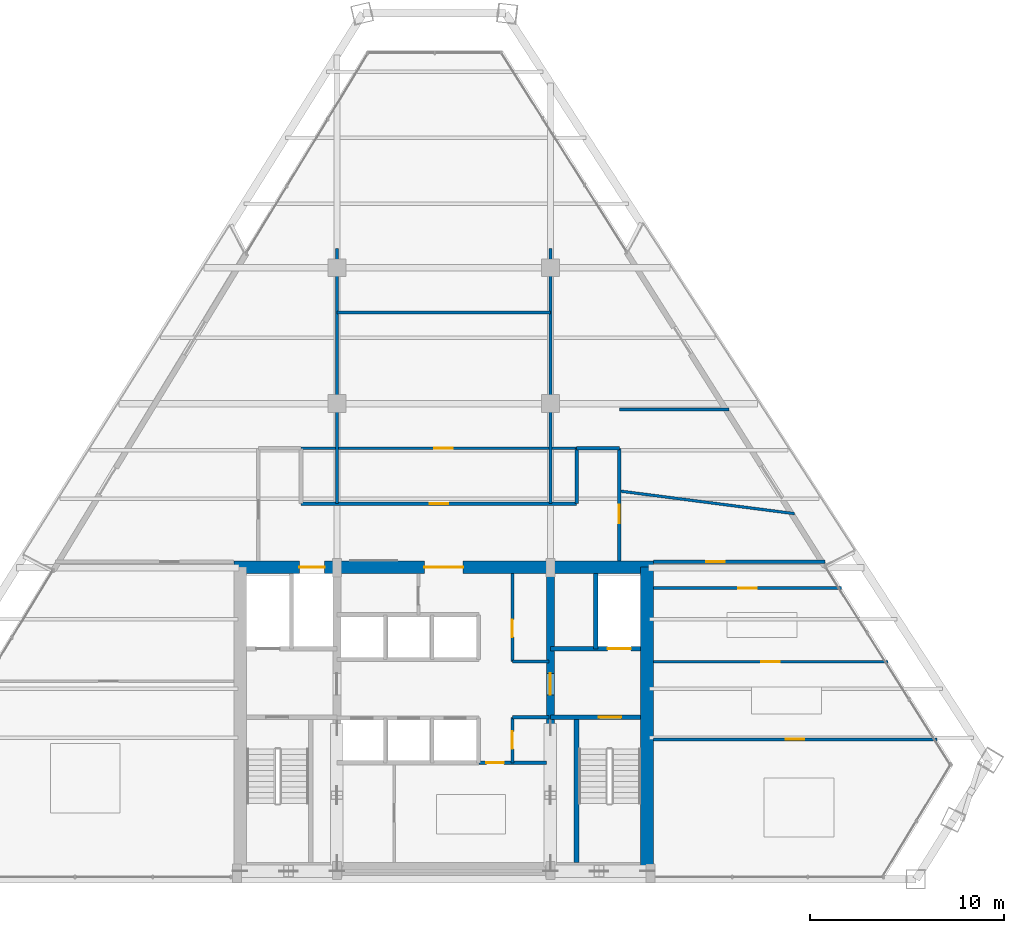
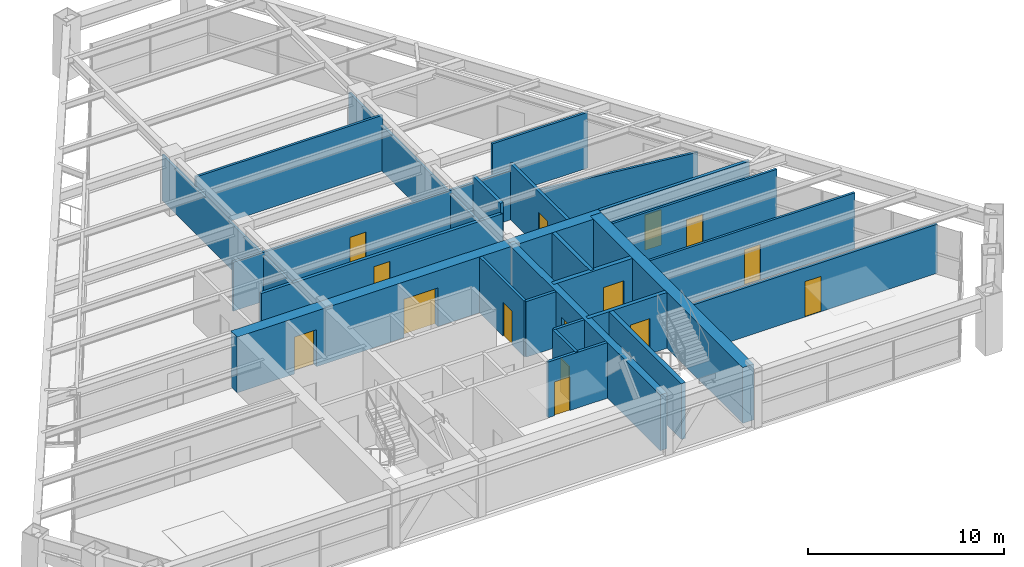
# One storey, part 10 of 13: 26 walls, 15 doors, 15 openings.
"""IFC4 building model written with IfcOpenShell, lengths in metres."""

from ifc_helpers import new_model, si_unit, direction, frame, frame_2d, origin, place, context, subcontext, project, spatial, rectangle, extrude, source, transform, mapped, material, layer, layer_set, type_object, type_shapes, element, fill, save


model = new_model("IFC4")

# Units and contexts
model_context = context("Model", 3, precision=1e-05, world=origin(), true_north=direction((0.0, 1.0)))
body_context = subcontext(model_context, "Body", "Model", "MODEL_VIEW")
ifc_project = project(units=[si_unit("LENGTHUNIT", "METRE"), si_unit("AREAUNIT", "SQUARE_METRE"), si_unit("VOLUMEUNIT", "CUBIC_METRE"), si_unit("PLANEANGLEUNIT", "RADIAN"), si_unit("MASSUNIT", "GRAM", prefix="KILO")], contexts=[model_context])

# Site, building, storey
site_placement = place(None, origin())
site = spatial("IfcSite", under=ifc_project, at=site_placement, CompositionType="ELEMENT")
building_placement = place(site_placement, origin())
building = spatial("IfcBuilding", under=site, at=building_placement, Name="Varnakhor Terracotta Tower", CompositionType="ELEMENT")
storey_placement = place(building_placement, frame((0.0, 0.0, 204.300048828125)))
storey = spatial("IfcBuildingStorey", under=building, at=storey_placement, Name="L52", CompositionType="ELEMENT", Elevation=204.300048828125)

# Wall, openings, doors
ifc_material_1 = material(Name="Concrete C50/60", Category="concrete")
ifc_layer_1 = layer(ifc_material_1, 0.64990234375, Name="Concrete C50/60")
ifc_layer_set_1 = layer_set([ifc_layer_1], Name="Concrete C50/60")
wall_type_1 = type_object("IfcWallType", Name="WAL-CORE-650", PredefinedType="SHEAR", material=ifc_layer_set_1)
wall_1_placement = place(storey_placement, frame((-10.800048828125, 16.074951171875, 0.0), z_axis=(0.0, 0.0, 1.0), x_axis=(1.0, 0.0, 0.0)))
wall_1 = element("IfcWall", 1, at=wall_1_placement, inside=storey, type_object=wall_type_1, Name="L52 North Core Shear Wall", PredefinedType="SHEAR", context=body_context, shape_type="SweptSolid", body=[
    extrude(rectangle(XDim=21.60009765625, YDim=0.64990234375, at=frame_2d((10.800048828125, 0.0))), origin(), (0.0, 0.0, 1.0), 3.469970703125),
])
opening_1_placement = place(wall_1_placement, frame((3.3701171875, 0.0, 0.0)))
opening_1 = element("IfcOpeningElement", 2, at=opening_1_placement, cuts=wall_1, Name="Opening LD-03", PredefinedType="OPENING", context=body_context, shape_type="SweptSolid", body=[
    extrude(rectangle(XDim=1.300048828125, YDim=2.300048828125, at=frame_2d((0.64990234375, 1.14990234375))), frame((0.0, 0.3349609375, 0.0), z_axis=(0.0, -1.0, 0.0), x_axis=(1.0, 0.0, 0.0)), (0.0, 0.0, 1.0), 0.669921875),
])
opening_2_placement = place(wall_1_placement, frame((9.800048828125, 0.0, 0.0)))
opening_2 = element("IfcOpeningElement", 3, at=opening_2_placement, cuts=wall_1, Name="Opening DR-32", PredefinedType="OPENING", context=body_context, shape_type="SweptSolid", body=[
    extrude(rectangle(XDim=2.0, YDim=2.39990234375, at=frame_2d((1.0, 1.199951171875))), frame((0.0, 0.3349609375, 0.0), z_axis=(0.0, -1.0, 0.0), x_axis=(1.0, 0.0, 0.0)), (0.0, 0.0, 1.0), 0.669921875),
])
ifc_material_2 = material(Name="Heavy-Duty Goods Sliding Lift Landing Door", Category="steel")
door_type_1 = type_object("IfcDoorType", Name="LD-SRV-1300X2300", OperationType="NOTDEFINED", PredefinedType="DOOR", material=ifc_material_2)
shared_shape_1 = source(origin(), body_context, "Body", "SweptSolid", [
    extrude(rectangle(XDim=1.300048828125, YDim=2.300048828125, at=frame_2d((0.64990234375, 1.14990234375))), frame((0.0, 0.02490234375, 0.0), z_axis=(0.0, -1.0, 0.0), x_axis=(1.0, 0.0, 0.0)), (0.0, 0.0, 1.0), 0.050048828125),
])
type_shapes(door_type_1, [shared_shape_1])
door_1_placement = place(opening_1_placement, origin())
door_1 = element("IfcDoor", 4, at=door_1_placement, inside=storey, type_object=door_type_1, Name="L52 Service Lift SVL-1 Landing Door", OperationType="SLIDING_TO_RIGHT", OverallHeight=2.300048828125, OverallWidth=1.300048828125, PredefinedType="DOOR", context=body_context, shape_type="MappedRepresentation", body=[
    mapped(shared_shape_1, transform((0.0, 0.0, 0.0), scale=1.0)),
])
fill(opening_1, door_1)
ifc_material_3 = material(Name="Acoustic Double Assembly Fire Door", Category="wood")
door_type_2 = type_object("IfcDoorType", Name="DR-HALL-2000X2400", OperationType="NOTDEFINED", PredefinedType="DOOR", material=ifc_material_3)
shared_shape_2 = source(origin(), body_context, "Body", "SweptSolid", [
    extrude(rectangle(XDim=2.0, YDim=2.39990234375, at=frame_2d((1.0, 1.199951171875))), frame((0.0, 0.02490234375, 0.0), z_axis=(0.0, -1.0, 0.0), x_axis=(1.0, 0.0, 0.0)), (0.0, 0.0, 1.0), 0.050048828125),
])
type_shapes(door_type_2, [shared_shape_2])
door_2_placement = place(opening_2_placement, origin())
door_2 = element("IfcDoor", 5, at=door_2_placement, inside=storey, type_object=door_type_2, Name="L52 Core Main Lobby Double Door", OperationType="DOUBLE_DOOR_SINGLE_SWING", OverallHeight=2.39990234375, OverallWidth=2.0, PredefinedType="DOOR", context=body_context, shape_type="MappedRepresentation", body=[
    mapped(shared_shape_2, transform((0.0, 0.0, 0.0), scale=1.0)),
])
fill(opening_2, door_2)

# Wall
wall_2_placement = place(storey_placement, frame((10.47509765625, 0.52490234375, 0.0), z_axis=(0.0, 0.0, 1.0), x_axis=(0.0, 1.0, 0.0)))
element("IfcWall", 6, at=wall_2_placement, inside=storey, type_object=wall_type_1, Name="L52 East Core Shear Wall", PredefinedType="SHEAR", context=body_context, shape_type="SweptSolid", body=[
    extrude(rectangle(XDim=15.550048828125, YDim=0.64990234375, at=frame_2d((7.77490234375, 0.0))), origin(), (0.0, 0.0, 1.0), 3.469970703125),
])

# Wall, opening, door
ifc_layer_2 = layer(ifc_material_1, 0.39990234375, Name="Concrete C50/60")
ifc_layer_set_2 = layer_set([ifc_layer_2], Name="Concrete C50/60")
wall_type_2 = type_object("IfcWallType", Name="WAL-CORE-WEB-400", PredefinedType="SHEAR", material=ifc_layer_set_2)
wall_3_placement = place(storey_placement, frame((5.5, 0.52490234375, 0.0), z_axis=(0.0, 0.0, 1.0), x_axis=(0.0, 1.0, 0.0)))
wall_3 = element("IfcWall", 7, at=wall_3_placement, inside=storey, type_object=wall_type_2, Name="L52 East Core Web Shear Wall", PredefinedType="SHEAR", context=body_context, shape_type="SweptSolid", body=[
    extrude(rectangle(XDim=15.550048828125, YDim=0.39990234375, at=frame_2d((7.77490234375, 0.0))), origin(), (0.0, 0.0, 1.0), 3.469970703125),
])
opening_3_placement = place(wall_3_placement, frame((8.97509765625, 0.0, 0.0)))
opening_3 = element("IfcOpeningElement", 8, at=opening_3_placement, cuts=wall_3, Name="Opening DR-25", PredefinedType="OPENING", context=body_context, shape_type="SweptSolid", body=[
    extrude(rectangle(XDim=1.10009765625, YDim=2.199951171875, at=frame_2d((0.550048828125, 1.10009765625))), frame((0.0, 0.2099609375, 0.0), z_axis=(0.0, -1.0, 0.0), x_axis=(1.0, 0.0, 0.0)), (0.0, 0.0, 1.0), 0.419921875),
])
ifc_material_4 = material(Name="Firefighting Lobby Self-Closing Fire Door", Category="steel")
door_type_3 = type_object("IfcDoorType", Name="DR-FFL-1100X2200", OperationType="NOTDEFINED", PredefinedType="DOOR", material=ifc_material_4)
shared_shape_3 = source(origin(), body_context, "Body", "SweptSolid", [
    extrude(rectangle(XDim=1.10009765625, YDim=2.199951171875, at=frame_2d((0.550048828125, 1.10009765625))), frame((0.0, 0.02490234375, 0.0), z_axis=(0.0, -1.0, 0.0), x_axis=(1.0, 0.0, 0.0)), (0.0, 0.0, 1.0), 0.050048828125),
])
type_shapes(door_type_3, [shared_shape_3])
door_3_placement = place(opening_3_placement, origin())
door_3 = element("IfcDoor", 9, at=door_3_placement, inside=storey, type_object=door_type_3, Name="L52 East Firefighting Lobby Door", OperationType="SINGLE_SWING_RIGHT", OverallHeight=2.199951171875, OverallWidth=1.10009765625, PredefinedType="DOOR", context=body_context, shape_type="MappedRepresentation", body=[
    mapped(shared_shape_3, transform((0.0, 0.0, 0.0), scale=1.0)),
])
fill(opening_3, door_3)

ifc_material_5 = material(Name="Fire-Rated Gypsum Stud Partition", Category="gypsum")
ifc_layer_3 = layer(ifc_material_5, 0.18505859375, Name="Fire-Rated Gypsum Stud Partition")
ifc_layer_set_3 = layer_set([ifc_layer_3], Name="Fire-Rated Gypsum Stud Partition")
wall_type_3 = type_object("IfcWallType", Name="WAL-CORR-185", PredefinedType="PARTITIONING", material=ifc_layer_set_3)
wall_4_placement = place(storey_placement, frame((-7.35009765625, 19.35009765625, 0.0), z_axis=(0.0, 0.0, 1.0), x_axis=(1.0, 0.0, 0.0)))
wall_4 = element("IfcWall", 10, at=wall_4_placement, inside=storey, type_object=wall_type_3, Name="L52 Central Gallery Link Wall", PredefinedType="PARTITIONING", context=body_context, shape_type="SweptSolid", body=[
    extrude(rectangle(XDim=14.2001953125, YDim=0.18505859375, at=frame_2d((7.10009765625, 0.0))), origin(), (0.0, 0.0, 1.0), 2.845947265625),
])
opening_4_placement = place(wall_4_placement, frame((6.625, 0.0, 0.0)))
opening_4 = element("IfcOpeningElement", 11, at=opening_4_placement, cuts=wall_4, Name="Opening DR-94", PredefinedType="OPENING", context=body_context, shape_type="SweptSolid", body=[
    extrude(rectangle(XDim=0.949951171875, YDim=2.199951171875, at=frame_2d((0.47509765625, 1.10009765625))), frame((0.0, 0.1025390625, 0.0), z_axis=(0.0, -1.0, 0.0), x_axis=(1.0, 0.0, 0.0)), (0.0, 0.0, 1.0), 0.205078125),
])
ifc_material_6 = material(Name="Acoustic Glazed-Vision Timber Office Door", Category="wood")
door_type_4 = type_object("IfcDoorType", Name="DR-OFF-950X2200", OperationType="NOTDEFINED", PredefinedType="DOOR", material=ifc_material_6)
shared_shape_4 = source(origin(), body_context, "Body", "SweptSolid", [
    extrude(rectangle(XDim=0.949951171875, YDim=2.199951171875, at=frame_2d((0.47509765625, 1.10009765625))), frame((0.0, 0.02490234375, 0.0), z_axis=(0.0, -1.0, 0.0), x_axis=(1.0, 0.0, 0.0)), (0.0, 0.0, 1.0), 0.050048828125),
])
type_shapes(door_type_4, [shared_shape_4])
door_4_placement = place(opening_4_placement, origin())
door_4 = element("IfcDoor", 12, at=door_4_placement, inside=storey, type_object=door_type_4, Name="L52 Center Suite Door", OperationType="SINGLE_SWING_RIGHT", OverallHeight=2.199951171875, OverallWidth=0.949951171875, PredefinedType="DOOR", context=body_context, shape_type="MappedRepresentation", body=[
    mapped(shared_shape_4, transform((0.0, 0.0, 0.0), scale=1.0)),
])
fill(opening_4, door_4)

# Wall
wall_5_placement = place(storey_placement, frame((6.85009765625, 19.35009765625, 0.0), z_axis=(0.0, 0.0, 1.0), x_axis=(0.0, 1.0, 0.0)))
element("IfcWall", 13, at=wall_5_placement, inside=storey, type_object=wall_type_3, Name="L52 East Gallery Inner Wall", PredefinedType="PARTITIONING", context=body_context, shape_type="SweptSolid", body=[
    extrude(rectangle(XDim=2.849853515625, YDim=0.18505859375, at=frame_2d((1.4248046875, 0.0))), origin(), (0.0, 0.0, 1.0), 3.4619140625),
])

# Wall, opening, door
wall_6_placement = place(storey_placement, frame((9.050048828125, 16.39990234375, 0.0), z_axis=(0.0, 0.0, 1.0), x_axis=(0.0, 1.0, 0.0)))
wall_6 = element("IfcWall", 14, at=wall_6_placement, inside=storey, type_object=wall_type_3, Name="L52 East Gallery Outer Wall", PredefinedType="PARTITIONING", context=body_context, shape_type="SweptSolid", body=[
    extrude(rectangle(XDim=5.800048828125, YDim=0.18505859375, at=frame_2d((2.89990234375, 0.0))), origin(), (0.0, 0.0, 1.0), 3.4619140625),
])
opening_5_placement = place(wall_6_placement, frame((1.9423828125, 0.0, 0.0)))
opening_5 = element("IfcOpeningElement", 15, at=opening_5_placement, cuts=wall_6, Name="Opening DR-94", PredefinedType="OPENING", context=body_context, shape_type="SweptSolid", body=[
    extrude(rectangle(XDim=0.949951171875, YDim=2.199951171875, at=frame_2d((0.47509765625, 1.10009765625))), frame((0.0, 0.1025390625, 0.0), z_axis=(0.0, -1.0, 0.0), x_axis=(1.0, 0.0, 0.0)), (0.0, 0.0, 1.0), 0.205078125),
])
door_5_placement = place(opening_5_placement, origin())
door_5 = element("IfcDoor", 16, at=door_5_placement, inside=storey, type_object=door_type_4, Name="L52 East Wing Door", OperationType="SINGLE_SWING_RIGHT", OverallHeight=2.199951171875, OverallWidth=0.949951171875, PredefinedType="DOOR", context=body_context, shape_type="MappedRepresentation", body=[
    mapped(shared_shape_4, transform((0.0, 0.0, 0.0), scale=1.0)),
])
fill(opening_5, door_5)

# Wall
wall_7_placement = place(storey_placement, frame((6.85009765625, 22.199951171875, 0.0), z_axis=(0.0, 0.0, 1.0), x_axis=(1.0, 0.0, 0.0)))
element("IfcWall", 17, at=wall_7_placement, inside=storey, type_object=wall_type_3, Name="L52 East Gallery North End", PredefinedType="PARTITIONING", context=body_context, shape_type="SweptSolid", body=[
    extrude(rectangle(XDim=2.199951171875, YDim=0.18505859375, at=frame_2d((1.10009765625, 0.0))), origin(), (0.0, 0.0, 1.0), 3.049072265625),
])

# Wall, opening, door
wall_8_placement = place(storey_placement, frame((10.820068359375, 16.35009765625, 0.0), z_axis=(0.0, 0.0, 1.0), x_axis=(1.0, 0.0, 0.0)))
wall_8 = element("IfcWall", 18, at=wall_8_placement, inside=storey, type_object=wall_type_3, Name="L52 South East Entry Wall", PredefinedType="PARTITIONING", context=body_context, shape_type="SweptSolid", body=[
    extrude(rectangle(XDim=8.81884765625, YDim=0.18505859375, at=frame_2d((4.409423828125, 0.0))), origin(), (0.0, 0.0, 1.0), 3.4619140625),
])
opening_6_placement = place(wall_8_placement, frame((2.713623046875, 0.0, 0.0)))
opening_6 = element("IfcOpeningElement", 19, at=opening_6_placement, cuts=wall_8, Name="Opening DR-94", PredefinedType="OPENING", context=body_context, shape_type="SweptSolid", body=[
    extrude(rectangle(XDim=0.949951171875, YDim=2.199951171875, at=frame_2d((0.47509765625, 1.10009765625))), frame((0.0, 0.1025390625, 0.0), z_axis=(0.0, -1.0, 0.0), x_axis=(1.0, 0.0, 0.0)), (0.0, 0.0, 1.0), 0.205078125),
])
door_6_placement = place(opening_6_placement, origin())
door_6 = element("IfcDoor", 20, at=door_6_placement, inside=storey, type_object=door_type_4, Name="L52 SE Suite Door", OperationType="SINGLE_SWING_RIGHT", OverallHeight=2.199951171875, OverallWidth=0.949951171875, PredefinedType="DOOR", context=body_context, shape_type="MappedRepresentation", body=[
    mapped(shared_shape_4, transform((0.0, 0.0, 0.0), scale=1.0)),
])
fill(opening_6, door_6)

ifc_material_7 = material(Name="Concrete C40/50", Category="concrete")
ifc_layer_4 = layer(ifc_material_7, 0.219970703125, Name="Concrete C40/50")
ifc_layer_set_4 = layer_set([ifc_layer_4], Name="Concrete C40/50")
wall_type_4 = type_object("IfcWallType", Name="WAL-FFLOBBY-220", PredefinedType="SOLIDWALL", material=ifc_layer_set_4)
wall_9_placement = place(storey_placement, frame((10.14990234375, 8.35009765625, 0.0), z_axis=(0.0, 0.0, 1.0), x_axis=(-1.0, 0.0, 0.0)))
wall_9 = element("IfcWall", 21, at=wall_9_placement, inside=storey, type_object=wall_type_4, Name="L52 East Firefighting Lobby Stair Wall", PredefinedType="SOLIDWALL", context=body_context, shape_type="SweptSolid", body=[
    extrude(rectangle(XDim=4.64990234375, YDim=0.219970703125, at=frame_2d((2.324951171875, 0.0))), origin(), (0.0, 0.0, 1.0), 3.469970703125),
])
opening_7_placement = place(wall_9_placement, frame((1.0, 0.0, 0.0)))
opening_7 = element("IfcOpeningElement", 22, at=opening_7_placement, cuts=wall_9, Name="Opening DR-34", PredefinedType="OPENING", context=body_context, shape_type="SweptSolid", body=[
    extrude(rectangle(XDim=1.14990234375, YDim=2.199951171875, at=frame_2d((0.574951171875, 1.10009765625))), frame((0.0, 0.1201171875, 0.0), z_axis=(0.0, -1.0, 0.0), x_axis=(1.0, 0.0, 0.0)), (0.0, 0.0, 1.0), 0.239990234375),
])
ifc_material_8 = material(Name="Self-Closing Smoke-Sealed Steel Fire Door", Category="steel")
door_type_5 = type_object("IfcDoorType", Name="DR-STAIR-1150X2200", OperationType="NOTDEFINED", PredefinedType="DOOR", material=ifc_material_8)
shared_shape_5 = source(origin(), body_context, "Body", "SweptSolid", [
    extrude(rectangle(XDim=1.14990234375, YDim=2.199951171875, at=frame_2d((0.574951171875, 1.10009765625))), frame((0.0, 0.02490234375, 0.0), z_axis=(0.0, -1.0, 0.0), x_axis=(1.0, 0.0, 0.0)), (0.0, 0.0, 1.0), 0.050048828125),
])
type_shapes(door_type_5, [shared_shape_5])
door_7_placement = place(opening_7_placement, origin())
door_7 = element("IfcDoor", 23, at=door_7_placement, inside=storey, type_object=door_type_5, Name="L52 Exit Stair ST-2 Fire Door", OperationType="SINGLE_SWING_LEFT", OverallHeight=2.199951171875, OverallWidth=1.14990234375, PredefinedType="DOOR", context=body_context, shape_type="MappedRepresentation", body=[
    mapped(shared_shape_5, transform((0.0, 0.0, 0.0), scale=1.0)),
])
fill(opening_7, door_7)

ifc_material_9 = material(Name="Acoustic Metal-Stud Partition", Category="gypsum")
ifc_layer_5 = layer(ifc_material_9, 0.139892578125, Name="Acoustic Metal-Stud Partition")
ifc_layer_set_5 = layer_set([ifc_layer_5], Name="Acoustic Metal-Stud Partition")
wall_type_5 = type_object("IfcWallType", Name="WAL-PART-140", PredefinedType="PARTITIONING", material=ifc_layer_set_5)
wall_10_placement = place(storey_placement, frame((-7.35009765625, 22.199951171875, 0.0), z_axis=(0.0, 0.0, 1.0), x_axis=(1.0, 0.0, 0.0)))
wall_10 = element("IfcWall", 24, at=wall_10_placement, inside=storey, type_object=wall_type_5, Name="L52 Gallery Center Cap Wall", PredefinedType="PARTITIONING", context=body_context, shape_type="SweptSolid", body=[
    extrude(rectangle(XDim=14.2001953125, YDim=0.139892578125, at=frame_2d((7.10009765625, 0.0))), origin(), (0.0, 0.0, 1.0), 3.049072265625),
])
opening_8_placement = place(wall_10_placement, frame((6.863037109375, 0.0, 0.0)))
opening_8 = element("IfcOpeningElement", 25, at=opening_8_placement, cuts=wall_10, Name="Opening DR-94", PredefinedType="OPENING", context=body_context, shape_type="SweptSolid", body=[
    extrude(rectangle(XDim=0.949951171875, YDim=2.199951171875, at=frame_2d((0.47509765625, 1.10009765625))), frame((0.0, 0.080078125, 0.0), z_axis=(0.0, -1.0, 0.0), x_axis=(1.0, 0.0, 0.0)), (0.0, 0.0, 1.0), 0.159912109375),
])
door_8_placement = place(opening_8_placement, origin())
door_8 = element("IfcDoor", 26, at=door_8_placement, inside=storey, type_object=door_type_4, Name="L52 Seminar Meeting Room 1 Door", OperationType="SINGLE_SWING_LEFT", OverallHeight=2.199951171875, OverallWidth=0.949951171875, PredefinedType="DOOR", context=body_context, shape_type="MappedRepresentation", body=[
    mapped(shared_shape_4, transform((0.0, 0.0, 0.0), scale=1.0)),
])
fill(opening_8, door_8)

# Walls
for number, where, z_axis, x_axis, name in (
    (27, (-5.5, 19.35009765625, 0.0), (0.0, 0.0, 1.0), (0.0, 1.0, 0.0), "L52 Center West Column Wall"),
    (28, (5.5, 19.35009765625, 0.0), (0.0, 0.0, 1.0), (0.0, 1.0, 0.0), "L52 Center East Column Wall"),
):
    element("IfcWall", number, at=place(storey_placement, frame(where, z_axis=z_axis, x_axis=x_axis)), inside=storey, type_object=wall_type_5, Name=name, PredefinedType="PARTITIONING", context=body_context, shape_type="SweptSolid", body=[
        extrude(rectangle(XDim=13.14990234375, YDim=0.139892578125, at=frame_2d((6.574951171875, 0.0))), origin(), (0.0, 0.0, 1.0), 2.845947265625),
    ])
wall_11_placement = place(storey_placement, frame((-5.5, 29.199951171875, 0.0), z_axis=(0.0, 0.0, 1.0), x_axis=(1.0, 0.0, 0.0)))
element("IfcWall", 29, at=wall_11_placement, inside=storey, type_object=wall_type_5, Name="L52 Center Cross Cut 1", PredefinedType="PARTITIONING", context=body_context, shape_type="SweptSolid", body=[
    extrude(rectangle(XDim=11.0, YDim=0.139892578125, at=frame_2d((5.5, 0.0))), origin(), (0.0, 0.0, 1.0), 3.4619140625),
])

# Wall, opening, door
wall_12_placement = place(storey_placement, frame((10.820068359375, 7.199951171875, 0.0), z_axis=(0.0, 0.0, 1.0), x_axis=(1.0, 0.0, 0.0)))
wall_12 = element("IfcWall", 30, at=wall_12_placement, inside=storey, type_object=wall_type_5, Name="L52 East Wing Cut 1", PredefinedType="PARTITIONING", context=body_context, shape_type="SweptSolid", body=[
    extrude(rectangle(XDim=14.589599609375, YDim=0.139892578125, at=frame_2d((7.294921875, 0.0))), origin(), (0.0, 0.0, 1.0), 3.049072265625),
])
opening_9_placement = place(wall_12_placement, frame((6.8125, 0.0, 0.0)))
opening_9 = element("IfcOpeningElement", 31, at=opening_9_placement, cuts=wall_12, Name="Opening DR-94", PredefinedType="OPENING", context=body_context, shape_type="SweptSolid", body=[
    extrude(rectangle(XDim=0.949951171875, YDim=2.199951171875, at=frame_2d((0.47509765625, 1.10009765625))), frame((0.0, 0.080078125, 0.0), z_axis=(0.0, -1.0, 0.0), x_axis=(1.0, 0.0, 0.0)), (0.0, 0.0, 1.0), 0.159912109375),
])
door_9_placement = place(opening_9_placement, origin())
door_9 = element("IfcDoor", 32, at=door_9_placement, inside=storey, type_object=door_type_4, Name="L52 Fitness Yoga Gym 1 SE Door", OperationType="SINGLE_SWING_LEFT", OverallHeight=2.199951171875, OverallWidth=0.949951171875, PredefinedType="DOOR", context=body_context, shape_type="MappedRepresentation", body=[
    mapped(shared_shape_4, transform((0.0, 0.0, 0.0), scale=1.0)),
])
fill(opening_9, door_9)

wall_13_placement = place(storey_placement, frame((10.820068359375, 11.199951171875, 0.0), z_axis=(0.0, 0.0, 1.0), x_axis=(1.0, 0.0, 0.0)))
wall_13 = element("IfcWall", 33, at=wall_13_placement, inside=storey, type_object=wall_type_5, Name="L52 East Wing Cut 2", PredefinedType="PARTITIONING", context=body_context, shape_type="SweptSolid", body=[
    extrude(rectangle(XDim=12.06689453125, YDim=0.139892578125, at=frame_2d((6.033447265625, 0.0))), origin(), (0.0, 0.0, 1.0), 3.4619140625),
])
opening_10_placement = place(wall_13_placement, frame((5.55126953125, 0.0, 0.0)))
opening_10 = element("IfcOpeningElement", 34, at=opening_10_placement, cuts=wall_13, Name="Opening DR-94", PredefinedType="OPENING", context=body_context, shape_type="SweptSolid", body=[
    extrude(rectangle(XDim=0.949951171875, YDim=2.199951171875, at=frame_2d((0.47509765625, 1.10009765625))), frame((0.0, 0.080078125, 0.0), z_axis=(0.0, -1.0, 0.0), x_axis=(1.0, 0.0, 0.0)), (0.0, 0.0, 1.0), 0.159912109375),
])
door_10_placement = place(opening_10_placement, origin())
door_10 = element("IfcDoor", 35, at=door_10_placement, inside=storey, type_object=door_type_4, Name="L52 Staff Dining Kitchen 1 B3 Door", OperationType="SINGLE_SWING_RIGHT", OverallHeight=2.199951171875, OverallWidth=0.949951171875, PredefinedType="DOOR", context=body_context, shape_type="MappedRepresentation", body=[
    mapped(shared_shape_4, transform((0.0, 0.0, 0.0), scale=1.0)),
])
fill(opening_10, door_10)

wall_14_placement = place(storey_placement, frame((10.820068359375, 15.0, 0.0), z_axis=(0.0, 0.0, 1.0), x_axis=(1.0, 0.0, 0.0)))
wall_14 = element("IfcWall", 36, at=wall_14_placement, inside=storey, type_object=wall_type_5, Name="L52 East Wing Cut 3", PredefinedType="PARTITIONING", context=body_context, shape_type="SweptSolid", body=[
    extrude(rectangle(XDim=9.670166015625, YDim=0.139892578125, at=frame_2d((4.8349609375, 0.0))), origin(), (0.0, 0.0, 1.0), 3.4619140625),
])
opening_11_placement = place(wall_14_placement, frame((4.35302734375, 0.0, 0.0)))
opening_11 = element("IfcOpeningElement", 37, at=opening_11_placement, cuts=wall_14, Name="Opening DR-94", PredefinedType="OPENING", context=body_context, shape_type="SweptSolid", body=[
    extrude(rectangle(XDim=0.949951171875, YDim=2.199951171875, at=frame_2d((0.47509765625, 1.10009765625))), frame((0.0, 0.080078125, 0.0), z_axis=(0.0, -1.0, 0.0), x_axis=(1.0, 0.0, 0.0)), (0.0, 0.0, 1.0), 0.159912109375),
])
door_11_placement = place(opening_11_placement, origin())
door_11 = element("IfcDoor", 38, at=door_11_placement, inside=storey, type_object=door_type_4, Name="L52 Juice Bar Kitchen 2 B4 Door", OperationType="SINGLE_SWING_RIGHT", OverallHeight=2.199951171875, OverallWidth=0.949951171875, PredefinedType="DOOR", context=body_context, shape_type="MappedRepresentation", body=[
    mapped(shared_shape_4, transform((0.0, 0.0, 0.0), scale=1.0)),
])
fill(opening_11, door_11)

# Walls
wall_15_placement = place(storey_placement, frame((9.050048828125, 20.0, 0.0), z_axis=(0.0, 0.0, 1.0), x_axis=(0.991742120267, -0.128248067777, 0.0)))
element("IfcWall", 39, at=wall_15_placement, inside=storey, type_object=wall_type_5, Name="L52 East Wing Cut 4", PredefinedType="PARTITIONING", context=body_context, shape_type="SweptSolid", body=[
    extrude(rectangle(XDim=9.09765625, YDim=0.139892578125, at=frame_2d((4.548828125, 0.0))), origin(), (0.0, 0.0, 1.0), 3.049072265625),
])
wall_16_placement = place(storey_placement, frame((9.050048828125, 24.199951171875, 0.0), z_axis=(0.0, 0.0, 1.0), x_axis=(1.0, 0.0, 0.0)))
element("IfcWall", 40, at=wall_16_placement, inside=storey, type_object=wall_type_5, Name="L52 East Wing Cut 5", PredefinedType="PARTITIONING", context=body_context, shape_type="SweptSolid", body=[
    extrude(rectangle(XDim=5.6376953125, YDim=0.139892578125, at=frame_2d((2.81884765625, 0.0))), origin(), (0.0, 0.0, 1.0), 3.4619140625),
])
ifc_layer_6 = layer(ifc_material_7, 0.219970703125, Name="Concrete C40/50")
ifc_layer_set_6 = layer_set([ifc_layer_6], Name="Concrete C40/50")
wall_type_6 = type_object("IfcWallType", Name="WAL-SHAFT-220", PredefinedType="SOLIDWALL", material=ifc_layer_set_6)
wall_17_placement = place(storey_placement, frame((7.840087890625, 11.8701171875, 0.0), z_axis=(0.0, 0.0, 1.0), x_axis=(0.0, 1.0, 0.0)))
element("IfcWall", 41, at=wall_17_placement, inside=storey, type_object=wall_type_6, Name="L52 Lift FFL-2 and Riser Divider Wall", PredefinedType="SOLIDWALL", context=body_context, shape_type="SweptSolid", body=[
    extrude(rectangle(XDim=3.8798828125, YDim=0.219970703125, at=frame_2d((1.93994140625, 0.0))), origin(), (0.0, 0.0, 1.0), 3.469970703125),
])
ifc_layer_7 = layer(ifc_material_7, 0.25, Name="Concrete C40/50")
ifc_layer_set_7 = layer_set([ifc_layer_7], Name="Concrete C40/50")
wall_type_7 = type_object("IfcWallType", Name="WAL-SHAFT-250", PredefinedType="SOLIDWALL", material=ifc_layer_set_7)
wall_18_placement = place(storey_placement, frame((6.85009765625, 0.85009765625, 0.0), z_axis=(0.0, 0.0, 1.0), x_axis=(0.0, 1.0, 0.0)))
element("IfcWall", 42, at=wall_18_placement, inside=storey, type_object=wall_type_7, Name="L52 Stair ST-2 Bearing Shaft Wall", PredefinedType="SOLIDWALL", context=body_context, shape_type="SweptSolid", body=[
    extrude(rectangle(XDim=7.5, YDim=0.25, at=frame_2d((3.75, 0.0))), origin(), (0.0, 0.0, 1.0), 3.469970703125),
])

# Wall, opening, door
wall_19_placement = place(storey_placement, frame((10.14990234375, 11.8701171875, 0.0), z_axis=(0.0, 0.0, 1.0), x_axis=(-1.0, 0.0, 0.0)))
wall_19 = element("IfcWall", 43, at=wall_19_placement, inside=storey, type_object=wall_type_7, Name="L52 Lift FFL-2 Shaft Front Wall", PredefinedType="SOLIDWALL", context=body_context, shape_type="SweptSolid", body=[
    extrude(rectangle(XDim=4.64990234375, YDim=0.25, at=frame_2d((2.324951171875, 0.0))), origin(), (0.0, 0.0, 1.0), 3.469970703125),
])
opening_12_placement = place(wall_19_placement, frame((0.5, 0.0, 0.0)))
opening_12 = element("IfcOpeningElement", 44, at=opening_12_placement, cuts=wall_19, Name="Opening LD-02", PredefinedType="OPENING", context=body_context, shape_type="SweptSolid", body=[
    extrude(rectangle(XDim=1.199951171875, YDim=2.25, at=frame_2d((0.60009765625, 1.125))), frame((0.0, 0.135009765625, 0.0), z_axis=(0.0, -1.0, 0.0), x_axis=(1.0, 0.0, 0.0)), (0.0, 0.0, 1.0), 0.27001953125),
])
ifc_material_10 = material(Name="Firefighting Stretcher Sliding Lift Landing Door", Category="steel")
door_type_6 = type_object("IfcDoorType", Name="LD-FFL-1200X2250", OperationType="NOTDEFINED", PredefinedType="DOOR", material=ifc_material_10)
shared_shape_6 = source(origin(), body_context, "Body", "SweptSolid", [
    extrude(rectangle(XDim=1.199951171875, YDim=2.25, at=frame_2d((0.60009765625, 1.125))), frame((0.0, 0.02490234375, 0.0), z_axis=(0.0, -1.0, 0.0), x_axis=(1.0, 0.0, 0.0)), (0.0, 0.0, 1.0), 0.050048828125),
])
type_shapes(door_type_6, [shared_shape_6])
door_12_placement = place(opening_12_placement, origin())
door_12 = element("IfcDoor", 45, at=door_12_placement, inside=storey, type_object=door_type_6, Name="L52 Firefighting Lift FFL-2 Landing Door", OperationType="SLIDING_TO_RIGHT", OverallHeight=2.25, OverallWidth=1.199951171875, PredefinedType="DOOR", context=body_context, shape_type="MappedRepresentation", body=[
    mapped(shared_shape_6, transform((0.0, 0.0, 0.0), scale=1.0)),
])
fill(opening_12, door_12)

ifc_material_11 = material(Name="Acoustic Fire-Rated Partition", Category="gypsum")
ifc_layer_8 = layer(ifc_material_11, 0.1650390625, Name="Acoustic Fire-Rated Partition")
ifc_layer_set_8 = layer_set([ifc_layer_8], Name="Acoustic Fire-Rated Partition")
wall_type_8 = type_object("IfcWallType", Name="WAL-TENANCY-165", PredefinedType="PARTITIONING", material=ifc_layer_set_8)
wall_20_placement = place(storey_placement, frame((1.820068359375, 6.0, 0.0), z_axis=(0.0, 0.0, 1.0), x_axis=(1.0, 0.0, 0.0)))
wall_20 = element("IfcWall", 46, at=wall_20_placement, inside=storey, type_object=wall_type_8, Name="L52 Reclaimed Core Bay North Rated Wall", PredefinedType="PARTITIONING", context=body_context, shape_type="SweptSolid", body=[
    extrude(rectangle(XDim=3.47998046875, YDim=0.1650390625, at=frame_2d((1.739990234375, 0.0))), origin(), (0.0, 0.0, 1.0), 3.4619140625),
])
opening_13_placement = place(wall_20_placement, frame((0.3798828125, 0.0, 0.0)))
opening_13 = element("IfcOpeningElement", 47, at=opening_13_placement, cuts=wall_20, Name="Opening DR-67", PredefinedType="OPENING", context=body_context, shape_type="SweptSolid", body=[
    extrude(rectangle(XDim=0.89990234375, YDim=2.10009765625, at=frame_2d((0.449951171875, 1.050048828125))), frame((0.0, 0.092529296875, 0.0), z_axis=(0.0, -1.0, 0.0), x_axis=(1.0, 0.0, 0.0)), (0.0, 0.0, 1.0), 0.18505859375),
])
ifc_material_12 = material(Name="Steel Service Riser Fire Door", Category="steel")
door_type_7 = type_object("IfcDoorType", Name="DR-RISER-900X2100", OperationType="NOTDEFINED", PredefinedType="DOOR", material=ifc_material_12)
shared_shape_7 = source(origin(), body_context, "Body", "SweptSolid", [
    extrude(rectangle(XDim=0.89990234375, YDim=2.10009765625, at=frame_2d((0.449951171875, 1.050048828125))), frame((0.0, 0.02490234375, 0.0), z_axis=(0.0, -1.0, 0.0), x_axis=(1.0, 0.0, 0.0)), (0.0, 0.0, 1.0), 0.050048828125),
])
type_shapes(door_type_7, [shared_shape_7])
door_13_placement = place(opening_13_placement, origin())
door_13 = element("IfcDoor", 48, at=door_13_placement, inside=storey, type_object=door_type_7, Name="L52 Core Reclaimed Suite Door", OperationType="SINGLE_SWING_LEFT", OverallHeight=2.10009765625, OverallWidth=0.89990234375, PredefinedType="DOOR", context=body_context, shape_type="MappedRepresentation", body=[
    mapped(shared_shape_7, transform((0.0, 0.0, 0.0), scale=1.0)),
])
fill(opening_13, door_13)

wall_21_placement = place(storey_placement, frame((3.5400390625, 6.0, 0.0), z_axis=(0.0, 0.0, 1.0), x_axis=(0.0, 1.0, 0.0)))
wall_21 = element("IfcWall", 49, at=wall_21_placement, inside=storey, type_object=wall_type_8, Name="L52 Accessible WC Rated Wall", PredefinedType="PARTITIONING", context=body_context, shape_type="SweptSolid", body=[
    extrude(rectangle(XDim=2.340087890625, YDim=0.1650390625, at=frame_2d((1.169921875, 0.0))), origin(), (0.0, 0.0, 1.0), 3.4619140625),
])
opening_14_placement = place(wall_21_placement, frame((0.719970703125, 0.0, 0.0)))
opening_14 = element("IfcOpeningElement", 50, at=opening_14_placement, cuts=wall_21, Name="Opening DR-67", PredefinedType="OPENING", context=body_context, shape_type="SweptSolid", body=[
    extrude(rectangle(XDim=0.89990234375, YDim=2.10009765625, at=frame_2d((0.449951171875, 1.050048828125))), frame((0.0, 0.092529296875, 0.0), z_axis=(0.0, -1.0, 0.0), x_axis=(1.0, 0.0, 0.0)), (0.0, 0.0, 1.0), 0.18505859375),
])
door_14_placement = place(opening_14_placement, origin())
door_14 = element("IfcDoor", 51, at=door_14_placement, inside=storey, type_object=door_type_7, Name="L52 Accessible WC Door", OperationType="SINGLE_SWING_LEFT", OverallHeight=2.10009765625, OverallWidth=0.89990234375, PredefinedType="DOOR", context=body_context, shape_type="MappedRepresentation", body=[
    mapped(shared_shape_7, transform((0.0, 0.0, 0.0), scale=1.0)),
])
fill(opening_14, door_14)

# Wall
wall_22_placement = place(storey_placement, frame((3.5400390625, 8.340087890625, 0.0), z_axis=(0.0, 0.0, 1.0), x_axis=(1.0, 0.0, 0.0)))
element("IfcWall", 52, at=wall_22_placement, inside=storey, type_object=wall_type_8, Name="L52 Accessible WC North Wall", PredefinedType="PARTITIONING", context=body_context, shape_type="SweptSolid", body=[
    extrude(rectangle(XDim=1.8798828125, YDim=0.1650390625, at=frame_2d((0.93994140625, 0.0))), origin(), (0.0, 0.0, 1.0), 3.4619140625),
])

# Wall, opening, door
wall_23_placement = place(storey_placement, frame((3.5400390625, 11.219970703125, 0.0), z_axis=(0.0, 0.0, 1.0), x_axis=(0.0, 1.0, 0.0)))
wall_23 = element("IfcWall", 53, at=wall_23_placement, inside=storey, type_object=wall_type_8, Name="L52 Restroom Corridor Wall", PredefinedType="PARTITIONING", context=body_context, shape_type="SweptSolid", body=[
    extrude(rectangle(XDim=4.530029296875, YDim=0.1650390625, at=frame_2d((2.26513671875, 0.0))), origin(), (0.0, 0.0, 1.0), 3.4619140625),
])
opening_15_placement = place(wall_23_placement, frame((1.25, 0.0, 0.0)))
opening_15 = element("IfcOpeningElement", 54, at=opening_15_placement, cuts=wall_23, Name="Opening DR-67", PredefinedType="OPENING", context=body_context, shape_type="SweptSolid", body=[
    extrude(rectangle(XDim=0.89990234375, YDim=2.10009765625, at=frame_2d((0.449951171875, 1.050048828125))), frame((0.0, 0.092529296875, 0.0), z_axis=(0.0, -1.0, 0.0), x_axis=(1.0, 0.0, 0.0)), (0.0, 0.0, 1.0), 0.18505859375),
])
door_15_placement = place(opening_15_placement, origin())
door_15 = element("IfcDoor", 55, at=door_15_placement, inside=storey, type_object=door_type_7, Name="L52 Female WC Door", OperationType="SINGLE_SWING_LEFT", OverallHeight=2.10009765625, OverallWidth=0.89990234375, PredefinedType="DOOR", context=body_context, shape_type="MappedRepresentation", body=[
    mapped(shared_shape_7, transform((0.0, 0.0, 0.0), scale=1.0)),
])
fill(opening_15, door_15)

# Wall
wall_24_placement = place(storey_placement, frame((3.5400390625, 11.219970703125, 0.0), z_axis=(0.0, 0.0, 1.0), x_axis=(1.0, 0.0, 0.0)))
element("IfcWall", 56, at=wall_24_placement, inside=storey, type_object=wall_type_8, Name="L52 Restroom South Wall", PredefinedType="PARTITIONING", context=body_context, shape_type="SweptSolid", body=[
    extrude(rectangle(XDim=1.8798828125, YDim=0.1650390625, at=frame_2d((0.93994140625, 0.0))), origin(), (0.0, 0.0, 1.0), 3.4619140625),
])

save(model, "model.ifc")
